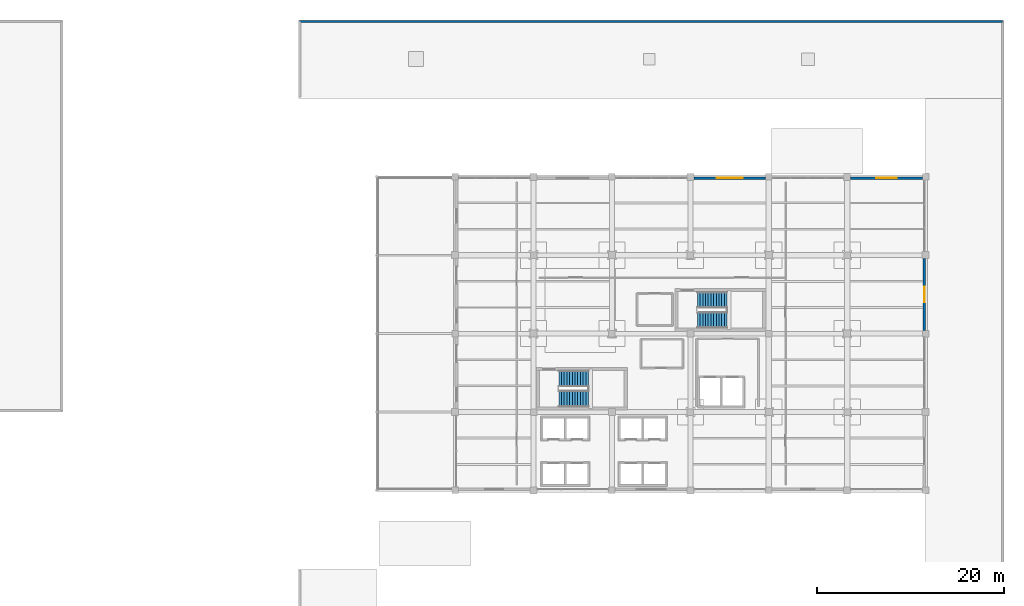
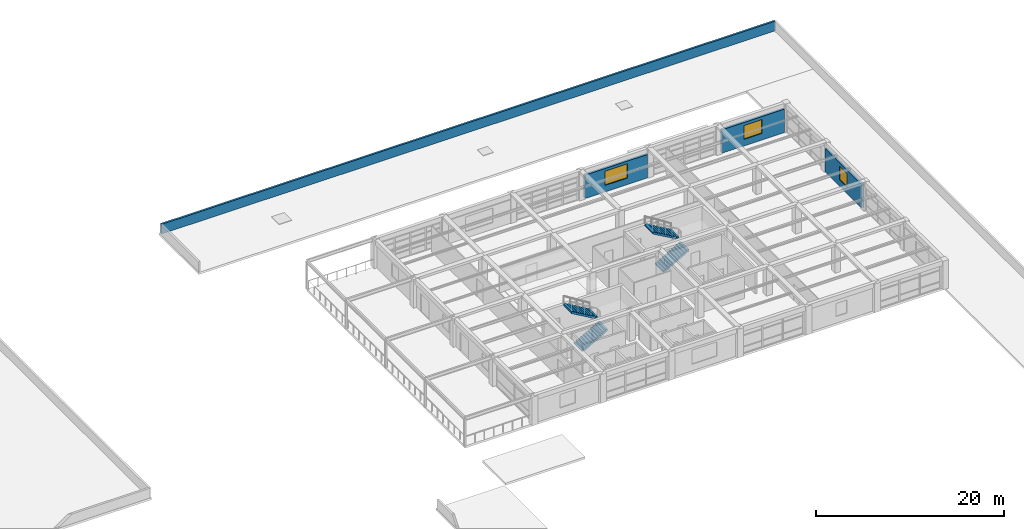
# One storey, part 34 of 35: 4 stair flights, 4 walls, 3 windows, 3 openings, 2 elements without a shape of their own.
"""IFC4 building model written with IfcOpenShell, lengths in metres."""

from ifc_helpers import new_model, si_unit, direction, frame, frame_2d, origin, place, context, subcontext, project, spatial, polyline, rectangle, outline, extrude, material, layer, layer_set, type_object, element, fill, aggregate, save


model = new_model("IFC4")

# Units and contexts
model_context = context("Model", 3, precision=1e-05, world=origin(), true_north=direction((0.0, 1.0)))
body_context = subcontext(model_context, "Body", "Model", "MODEL_VIEW")
ifc_project = project(units=[si_unit("LENGTHUNIT", "METRE"), si_unit("AREAUNIT", "SQUARE_METRE"), si_unit("VOLUMEUNIT", "CUBIC_METRE"), si_unit("PLANEANGLEUNIT", "RADIAN"), si_unit("MASSUNIT", "GRAM", prefix="KILO")], contexts=[model_context])

# Site, building, storey
site_placement = place(None, origin())
site = spatial("IfcSite", under=ifc_project, at=site_placement, CompositionType="ELEMENT")
building_placement = place(site_placement, origin())
building = spatial("IfcBuilding", under=site, at=building_placement, Name="Almacenes y Pasaje Nevantli", CompositionType="ELEMENT")
storey_placement = place(building_placement, frame((0.0, 0.0, 26.699951171875)))
storey = spatial("IfcBuildingStorey", under=building, at=storey_placement, Name="L06", CompositionType="ELEMENT", Elevation=26.699951171875)

# Wall, opening, window
ifc_material_1 = material(Name="Architectural Precast Concrete C35/45 Spandrel Wall", Category="concrete")
ifc_layer_1 = layer(ifc_material_1, 0.280029296875)
ifc_layer_set_1 = layer_set([ifc_layer_1], Name="Architectural Precast Concrete C35/45 Spandrel Wall")
wall_type_1 = type_object("IfcWallType", Name="WL-EXT-CANTERA-280", PredefinedType="SOLIDWALL", material=ifc_layer_set_1)
wall_1_placement = place(storey_placement, frame((134.778076171875, 100.659912109375, 0.0), z_axis=(0.0, 0.0, 1.0), x_axis=(1.0, 0.0, 0.0)))
wall_1 = element("IfcWall", 1, at=wall_1_placement, inside=storey, type_object=wall_type_1, Name="L06 Tower North Polychrome Cantera Wall Bay 17", PredefinedType="SOLIDWALL", context=body_context, shape_type="SweptSolid", body=[
    extrude(rectangle(XDim=7.66796875, YDim=0.280029296875, at=frame_2d((3.833984375, 0.0))), origin(), (0.0, 0.0, 1.0), 3.0400390625),
])
opening_1_placement = place(wall_1_placement, frame((2.422119140625, 0.0, 0.85009765625)))
opening_1 = element("IfcOpeningElement", 2, at=opening_1_placement, cuts=wall_1, Name="Opening WT-29-194", PredefinedType="OPENING", context=body_context, shape_type="SweptSolid", body=[
    extrude(rectangle(XDim=2.800048828125, YDim=1.85009765625, at=frame_2d((1.39990234375, 0.925048828125))), frame((0.0, 0.14990234375, 0.0), z_axis=(0.0, -1.0, 0.0), x_axis=(1.0, 0.0, 0.0)), (0.0, 0.0, 1.0), 0.300048828125),
])
ifc_material_2 = material(Name="Thermally Broken Aluminium and Low-E Double Glazing", Category="aluminium")
window_type_1 = type_object("IfcWindowType", Name="WN-TWR-2800x1850", PartitioningType="SINGLE_PANEL", PredefinedType="WINDOW", material=ifc_material_2)
window_1_placement = place(opening_1_placement, origin())
window_1 = element("IfcWindow", 3, at=window_1_placement, inside=storey, type_object=window_type_1, Name="L06 Exterior Window WT-29 #194", OverallHeight=1.85009765625, OverallWidth=2.800048828125, PartitioningType="SINGLE_PANEL", PredefinedType="WINDOW", context=body_context, shape_type="SweptSolid", body=[
    extrude(rectangle(XDim=2.800048828125, YDim=1.85009765625, at=frame_2d((1.39990234375, 0.925048828125))), frame((0.0, 0.030029296875, 0.0), z_axis=(0.0, -1.0, 0.0), x_axis=(1.0, 0.0, 0.0)), (0.0, 0.0, 1.0), 0.06005859375),
])
fill(opening_1, window_1)

wall_2_placement = place(storey_placement, frame((151.577880859375, 100.659912109375, 0.0), z_axis=(0.0, 0.0, 1.0), x_axis=(1.0, 0.0, 0.0)))
wall_2 = element("IfcWall", 4, at=wall_2_placement, inside=storey, type_object=wall_type_1, Name="L06 Tower North Polychrome Cantera Wall Bay 19", PredefinedType="SOLIDWALL", context=body_context, shape_type="SweptSolid", body=[
    extrude(rectangle(XDim=7.668212890625, YDim=0.280029296875, at=frame_2d((3.833984375, 0.0))), origin(), (0.0, 0.0, 1.0), 3.0400390625),
])
opening_2_placement = place(wall_2_placement, frame((2.721923828125, 0.0, 0.85009765625)))
opening_2 = element("IfcOpeningElement", 5, at=opening_2_placement, cuts=wall_2, Name="Opening WT-31-196", PredefinedType="OPENING", context=body_context, shape_type="SweptSolid", body=[
    extrude(rectangle(XDim=2.199951171875, YDim=1.800048828125, at=frame_2d((1.10009765625, 0.89990234375))), frame((0.0, 0.14990234375, 0.0), z_axis=(0.0, -1.0, 0.0), x_axis=(1.0, 0.0, 0.0)), (0.0, 0.0, 1.0), 0.300048828125),
])
ifc_material_3 = material(Name="Thermally Broken Aluminium and Low-E Double Glazing", Category="aluminium")
window_type_2 = type_object("IfcWindowType", Name="WN-TWR-2200x1800", PartitioningType="SINGLE_PANEL", PredefinedType="WINDOW", material=ifc_material_3)
window_2_placement = place(opening_2_placement, origin())
window_2 = element("IfcWindow", 6, at=window_2_placement, inside=storey, type_object=window_type_2, Name="L06 Exterior Window WT-31 #196", OverallHeight=1.800048828125, OverallWidth=2.199951171875, PartitioningType="SINGLE_PANEL", PredefinedType="WINDOW", context=body_context, shape_type="SweptSolid", body=[
    extrude(rectangle(XDim=2.199951171875, YDim=1.800048828125, at=frame_2d((1.10009765625, 0.89990234375))), frame((0.0, 0.030029296875, 0.0), z_axis=(0.0, -1.0, 0.0), x_axis=(1.0, 0.0, 0.0)), (0.0, 0.0, 1.0), 0.06005859375),
])
fill(opening_2, window_2)

ifc_material_4 = material(Name="Cream Architectural Precast Concrete C35/45 Wall", Category="concrete")
ifc_layer_2 = layer(ifc_material_4, 0.260009765625)
ifc_layer_set_2 = layer_set([ifc_layer_2], Name="Cream Architectural Precast Concrete C35/45 Wall")
wall_type_2 = type_object("IfcWallType", Name="WL-EXT-PRECAST-260", PredefinedType="SOLIDWALL", material=ifc_layer_set_2)
wall_3_placement = place(storey_placement, frame((159.4599609375, 84.35205078125, 0.0), z_axis=(0.0, 0.0, 1.0), x_axis=(0.0, 1.0, 0.0)))
wall_3 = element("IfcWall", 7, at=wall_3_placement, inside=storey, type_object=wall_type_2, Name="L06 Tower East Precast Wall Bay 11", PredefinedType="SOLIDWALL", context=body_context, shape_type="SweptSolid", body=[
    extrude(rectangle(XDim=7.669921875, YDim=0.260009765625, at=frame_2d((3.8349609375, 0.0))), origin(), (0.0, 0.0, 1.0), 3.0400390625),
])
opening_3_placement = place(wall_3_placement, frame((3.02294921875, 0.0, 0.85009765625)))
opening_3 = element("IfcOpeningElement", 8, at=opening_3_placement, cuts=wall_3, Name="Opening WT-33-200", PredefinedType="OPENING", context=body_context, shape_type="SweptSolid", body=[
    extrude(rectangle(XDim=1.64990234375, YDim=1.75, at=frame_2d((0.824951171875, 0.875))), frame((0.0, 0.139892578125, 0.0), z_axis=(0.0, -1.0, 0.0), x_axis=(1.0, 0.0, 0.0)), (0.0, 0.0, 1.0), 0.280029296875),
])
ifc_material_5 = material(Name="Thermally Broken Aluminium and Low-E Double Glazing", Category="aluminium")
window_type_3 = type_object("IfcWindowType", Name="WN-TWR-1650x1750", PartitioningType="SINGLE_PANEL", PredefinedType="WINDOW", material=ifc_material_5)
window_3_placement = place(opening_3_placement, origin())
window_3 = element("IfcWindow", 9, at=window_3_placement, inside=storey, type_object=window_type_3, Name="L06 Exterior Window WT-33 #200", OverallHeight=1.75, OverallWidth=1.64990234375, PartitioningType="SINGLE_PANEL", PredefinedType="WINDOW", context=body_context, shape_type="SweptSolid", body=[
    extrude(rectangle(XDim=1.64990234375, YDim=1.75, at=frame_2d((0.824951171875, 0.875))), frame((0.0, 0.030029296875, 0.0), z_axis=(0.0, -1.0, 0.0), x_axis=(1.0, 0.0, 0.0)), (0.0, 0.0, 1.0), 0.06005859375),
])
fill(opening_3, window_3)

# Wall
ifc_material_6 = material(Name="Reinforced Concrete C35/45 Roof Parapet", Category="concrete")
ifc_layer_3 = layer(ifc_material_6, 0.239990234375)
ifc_layer_set_3 = layer_set([ifc_layer_3], Name="Reinforced Concrete C35/45 Roof Parapet")
wall_type_3 = type_object("IfcWallType", Name="WL-PARAPET-240", PredefinedType="PARAPET", material=ifc_layer_set_3)
wall_4_placement = place(storey_placement, frame((92.550048828125, 117.449951171875, 0.0), z_axis=(0.0, 0.0, 1.0), x_axis=(1.0, 0.0, 0.0)))
element("IfcWall", 10, at=wall_4_placement, inside=storey, type_object=wall_type_3, Name="L06 NE Podium Roof North Parapet", PredefinedType="PARAPET", context=body_context, shape_type="SweptSolid", body=[
    extrude(rectangle(XDim=75.300048828125, YDim=0.239990234375, at=frame_2d((37.64990234375, 0.0))), origin(), (0.0, 0.0, 1.0), 1.25),
])

# Stair, stair flights
ifc_material_7 = material(Name="Concrete C35/45", Category="concrete")
stair_type = type_object("IfcStairType", Name="STR-CORE-1720", PredefinedType="HALF_TURN_STAIR", material=ifc_material_7)
stair_1_placement = place(storey_placement, origin())
stair_1 = element("IfcStair", 11, at=stair_1_placement, inside=storey, type_object=stair_type, Name="L06 Staircase ST-01", PredefinedType="HALF_TURN_STAIR")
ifc_material_8 = material(Name="Concrete C35/45", Category="concrete")
ifc_layer_4 = layer(ifc_material_8, 0.199951171875)
ifc_layer_set_4 = layer_set([ifc_layer_4], Name="Concrete C35/45")
stair_flight_type = type_object("IfcStairFlightType", Name="SFL-RC-200", PredefinedType="STRAIGHT", material=ifc_layer_set_4)
stair_flight_1_placement = place(storey_placement, frame((120.300048828125, 77.010009765625, 0.0), z_axis=(0.0, 0.0, 1.0), x_axis=(1.0, 0.0, 0.0)))
stair_flight_1 = element("IfcStairFlight", 12, at=stair_flight_1_placement, type_object=stair_flight_type, Name="ST-01-L06 flight 1", NumberOfRisers=12, NumberOfTreads=11, PredefinedType="STRAIGHT", RiserHeight=0.166667, TreadLength=0.29, context=body_context, shape_type="SweptSolid", body=[
    extrude(outline(polyline([(0.0, 0.0), (0.0, 0.166748046875), (0.2900390625, 0.166748046875), (0.2900390625, 0.333251953125), (0.580078125, 0.333251953125), (0.580078125, 0.5), (0.8701171875, 0.5), (0.8701171875, 0.666748046875), (1.159912109375, 0.666748046875), (1.159912109375, 0.833251953125), (1.449951171875, 0.833251953125), (1.449951171875, 1.0), (1.739990234375, 1.0), (1.739990234375, 1.166748046875), (2.030029296875, 1.166748046875), (2.030029296875, 1.333251953125), (2.320068359375, 1.333251953125), (2.320068359375, 1.5), (2.610107421875, 1.5), (2.610107421875, 1.666748046875), (2.89990234375, 1.666748046875), (2.89990234375, 1.833251953125), (3.18994140625, 1.833251953125), (3.18994140625, 2.0), (3.18994140625, 1.602783203125), (0.4013671875, 0.0), (0.0, 0.0)])), frame((0.0, 0.85986328125, 0.0), z_axis=(0.0, -1.0, 0.0), x_axis=(1.0, 0.0, 0.0)), (0.0, 0.0, 1.0), 1.719970703125),
])
stair_flight_2_placement = place(storey_placement, frame((123.489990234375, 79.179931640625, 2.0), z_axis=(0.0, 0.0, 1.0), x_axis=(-1.0, 0.0, 0.0)))
stair_flight_2 = element("IfcStairFlight", 13, at=stair_flight_2_placement, type_object=stair_flight_type, Name="ST-01-L06 flight 2", NumberOfRisers=12, NumberOfTreads=11, PredefinedType="STRAIGHT", RiserHeight=0.166667, TreadLength=0.29, context=body_context, shape_type="SweptSolid", body=[
    extrude(outline(polyline([(0.0, 0.0), (0.0, 0.166748046875), (0.2900390625, 0.166748046875), (0.2900390625, 0.333251953125), (0.580078125, 0.333251953125), (0.580078125, 0.5), (0.8701171875, 0.5), (0.8701171875, 0.666748046875), (1.159912109375, 0.666748046875), (1.159912109375, 0.833251953125), (1.449951171875, 0.833251953125), (1.449951171875, 1.0), (1.739990234375, 1.0), (1.739990234375, 1.166748046875), (2.030029296875, 1.166748046875), (2.030029296875, 1.333251953125), (2.320068359375, 1.333251953125), (2.320068359375, 1.5), (2.610107421875, 1.5), (2.610107421875, 1.666748046875), (2.89990234375, 1.666748046875), (2.89990234375, 1.833251953125), (3.18994140625, 1.833251953125), (3.18994140625, 2.0), (3.18994140625, 1.602783203125), (0.4013671875, 0.0), (0.0, 0.0)])), frame((0.0, 0.85986328125, 0.0), z_axis=(0.0, -1.0, 0.0), x_axis=(1.0, 0.0, 0.0)), (0.0, 0.0, 1.0), 1.719970703125),
])
aggregate(stair_1, [stair_flight_1, stair_flight_2])

stair_2_placement = place(storey_placement, origin())
stair_2 = element("IfcStair", 14, at=stair_2_placement, inside=storey, type_object=stair_type, Name="L06 Staircase ST-02", PredefinedType="HALF_TURN_STAIR")
stair_flight_3_placement = place(storey_placement, frame((135.14990234375, 85.4599609375, 0.0), z_axis=(0.0, 0.0, 1.0), x_axis=(1.0, 0.0, 0.0)))
stair_flight_3 = element("IfcStairFlight", 15, at=stair_flight_3_placement, type_object=stair_flight_type, Name="ST-02-L06 flight 1", NumberOfRisers=12, NumberOfTreads=11, PredefinedType="STRAIGHT", RiserHeight=0.166667, TreadLength=0.29, context=body_context, shape_type="SweptSolid", body=[
    extrude(outline(polyline([(0.0, 0.0), (0.0, 0.166748046875), (0.2900390625, 0.166748046875), (0.2900390625, 0.333251953125), (0.580078125, 0.333251953125), (0.580078125, 0.5), (0.8701171875, 0.5), (0.8701171875, 0.666748046875), (1.159912109375, 0.666748046875), (1.159912109375, 0.833251953125), (1.449951171875, 0.833251953125), (1.449951171875, 1.0), (1.739990234375, 1.0), (1.739990234375, 1.166748046875), (2.030029296875, 1.166748046875), (2.030029296875, 1.333251953125), (2.320068359375, 1.333251953125), (2.320068359375, 1.5), (2.610107421875, 1.5), (2.610107421875, 1.666748046875), (2.89990234375, 1.666748046875), (2.89990234375, 1.833251953125), (3.18994140625, 1.833251953125), (3.18994140625, 2.0), (3.18994140625, 1.602783203125), (0.4013671875, 0.0), (0.0, 0.0)])), frame((0.0, 0.85986328125, 0.0), z_axis=(0.0, -1.0, 0.0), x_axis=(1.0, 0.0, 0.0)), (0.0, 0.0, 1.0), 1.719970703125),
])
stair_flight_4_placement = place(storey_placement, frame((138.340087890625, 87.6298828125, 2.0), z_axis=(0.0, 0.0, 1.0), x_axis=(-1.0, 0.0, 0.0)))
stair_flight_4 = element("IfcStairFlight", 16, at=stair_flight_4_placement, type_object=stair_flight_type, Name="ST-02-L06 flight 2", NumberOfRisers=12, NumberOfTreads=11, PredefinedType="STRAIGHT", RiserHeight=0.166667, TreadLength=0.29, context=body_context, shape_type="SweptSolid", body=[
    extrude(outline(polyline([(0.0, 0.0), (0.0, 0.166748046875), (0.2900390625, 0.166748046875), (0.2900390625, 0.333251953125), (0.580078125, 0.333251953125), (0.580078125, 0.5), (0.8701171875, 0.5), (0.8701171875, 0.666748046875), (1.159912109375, 0.666748046875), (1.159912109375, 0.833251953125), (1.449951171875, 0.833251953125), (1.449951171875, 1.0), (1.739990234375, 1.0), (1.739990234375, 1.166748046875), (2.030029296875, 1.166748046875), (2.030029296875, 1.333251953125), (2.320068359375, 1.333251953125), (2.320068359375, 1.5), (2.610107421875, 1.5), (2.610107421875, 1.666748046875), (2.89990234375, 1.666748046875), (2.89990234375, 1.833251953125), (3.18994140625, 1.833251953125), (3.18994140625, 2.0), (3.18994140625, 1.602783203125), (0.4013671875, 0.0), (0.0, 0.0)])), frame((0.0, 0.85986328125, 0.0), z_axis=(0.0, -1.0, 0.0), x_axis=(1.0, 0.0, 0.0)), (0.0, 0.0, 1.0), 1.719970703125),
])
aggregate(stair_2, [stair_flight_3, stair_flight_4])

save(model, "model.ifc")
